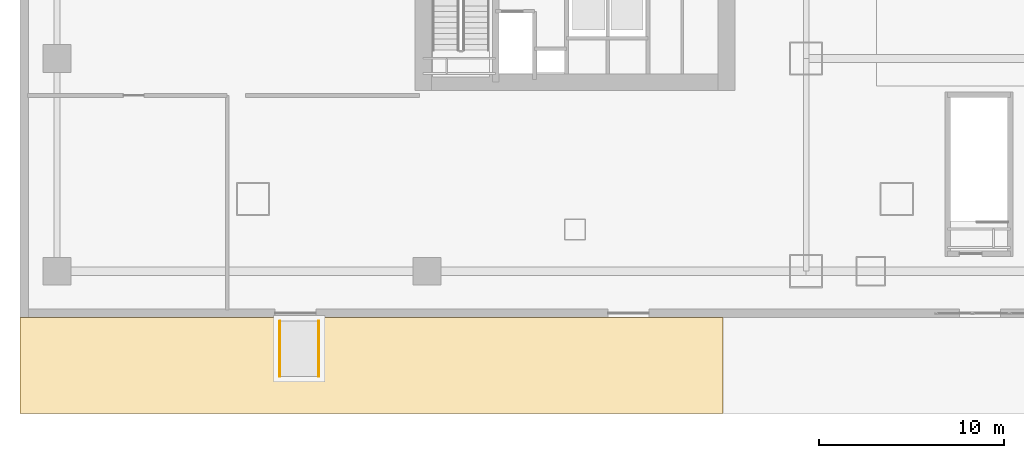
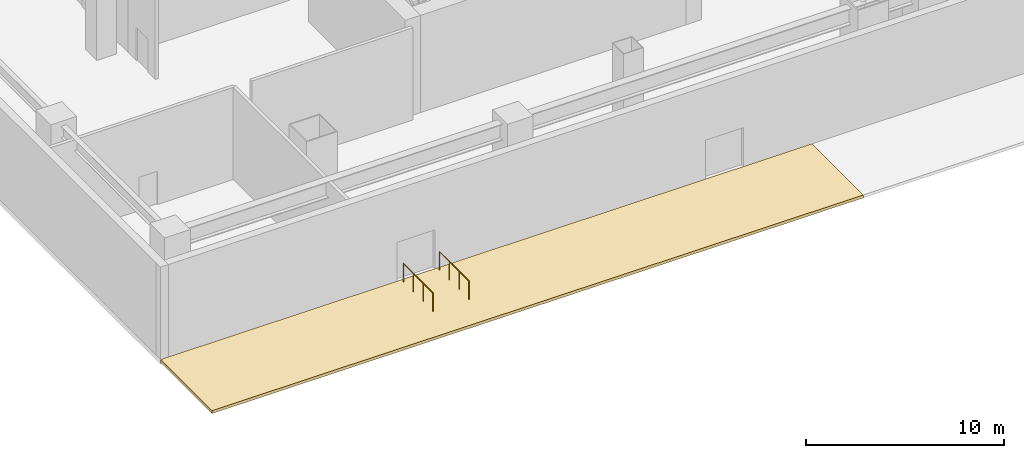
# One storey, part 20 of 31: 2 railings, 1 covering.
"""IFC4 building model written with IfcOpenShell, lengths in metres."""

from ifc_helpers import new_model, si_unit, direction, frame, origin, origin_2d, place, context, subcontext, project, spatial, polyline, circle, outline, extrude, material, layer, layer_set, type_object, element, save


model = new_model("IFC4")

# Units and contexts
model_context = context("Model", 3, precision=1e-05, world=origin(), true_north=direction((0.0, 1.0)))
body_context = subcontext(model_context, "Body", "Model", "MODEL_VIEW")
ifc_project = project(units=[si_unit("LENGTHUNIT", "METRE"), si_unit("AREAUNIT", "SQUARE_METRE"), si_unit("VOLUMEUNIT", "CUBIC_METRE"), si_unit("PLANEANGLEUNIT", "RADIAN"), si_unit("MASSUNIT", "GRAM", prefix="KILO")], contexts=[model_context])

# Site, building, storey
site_placement = place(None, origin())
site = spatial("IfcSite", under=ifc_project, at=site_placement, CompositionType="ELEMENT")
building_placement = place(site_placement, origin())
building = spatial("IfcBuilding", under=site, at=building_placement, Name="Qiaolan Cultural Towers", CompositionType="ELEMENT")
storey_placement = place(building_placement, origin())
storey = spatial("IfcBuildingStorey", under=building, at=storey_placement, Name="L00", CompositionType="ELEMENT", Elevation=0.0)

# Covering
ifc_material_1 = material(Name="Precast Concrete C40 Granite Forecourt Paving", Category="masonry")
ifc_layer = layer(ifc_material_1, 0.179931640625)
ifc_layer_set = layer_set([ifc_layer], Name="Precast Concrete C40 Granite Forecourt Paving")
covering_type = type_object("IfcCoveringType", Name="COV-PLAZA-PAVING", PredefinedType="USERDEFINED", material=ifc_layer_set)
covering_placement = place(storey_placement, frame((0.0, 0.0, -0.179931640625)))
element("IfcCovering", 1, at=covering_placement, inside=storey, type_object=covering_type, Name="Station Forecourt Granite Paving PLZ-S1", ObjectType="PAVING", PredefinedType="USERDEFINED", context=body_context, shape_type="SweptSolid", body=[
    extrude(outline(polyline([(0.0, -5.199951171875), (38.0, -5.199951171875), (38.0, 0.0), (0.0, 0.0), (0.0, -5.199951171875)])), origin(), (0.0, 0.0, 1.0), 0.179931640625),
])

# Railings
ifc_material_2 = material(Name="Laminated SentryGlas & Stainless Steel S31608 Balustrade", Category="steel")
railing_type = type_object("IfcRailingType", Name="GRD-TERR-1200", PredefinedType="BALUSTRADE", material=ifc_material_2)
for number, where, name in (
    (2, (14.050048828125, -3.199951171875, 0.0), "South West Accessible Entrance Ramp West Balustrade"),
    (3, (16.14990234375, -3.199951171875, 0.0), "South West Accessible Entrance Ramp East Balustrade"),
):
    element("IfcRailing", number, at=place(storey_placement, frame(where)), inside=storey, type_object=railing_type, Name=name, PredefinedType="BALUSTRADE", context=body_context, shape_type="SweptSolid", body=[
        extrude(circle(Radius=0.02392578125, at=origin_2d()), frame((0.0, 0.0, 1.1259765625), z_axis=(0.0, 1.0, 0.0), x_axis=(-1.0, 0.0, 0.0)), (0.0, 0.0, 1.0), 3.0),
        extrude(circle(Radius=0.02099609375, at=origin_2d()), origin(), (0.0, 0.0, 1.0), 1.101806640625),
        extrude(circle(Radius=0.02099609375, at=origin_2d()), frame((0.0, 1.0, 0.0)), (0.0, 0.0, 1.0), 1.101806640625),
        extrude(circle(Radius=0.02099609375, at=origin_2d()), frame((0.0, 2.0, 0.0)), (0.0, 0.0, 1.0), 1.101806640625),
        extrude(circle(Radius=0.02099609375, at=origin_2d()), frame((0.0, 3.0, 0.0)), (0.0, 0.0, 1.0), 1.101806640625),
    ])

save(model, "model.ifc")
